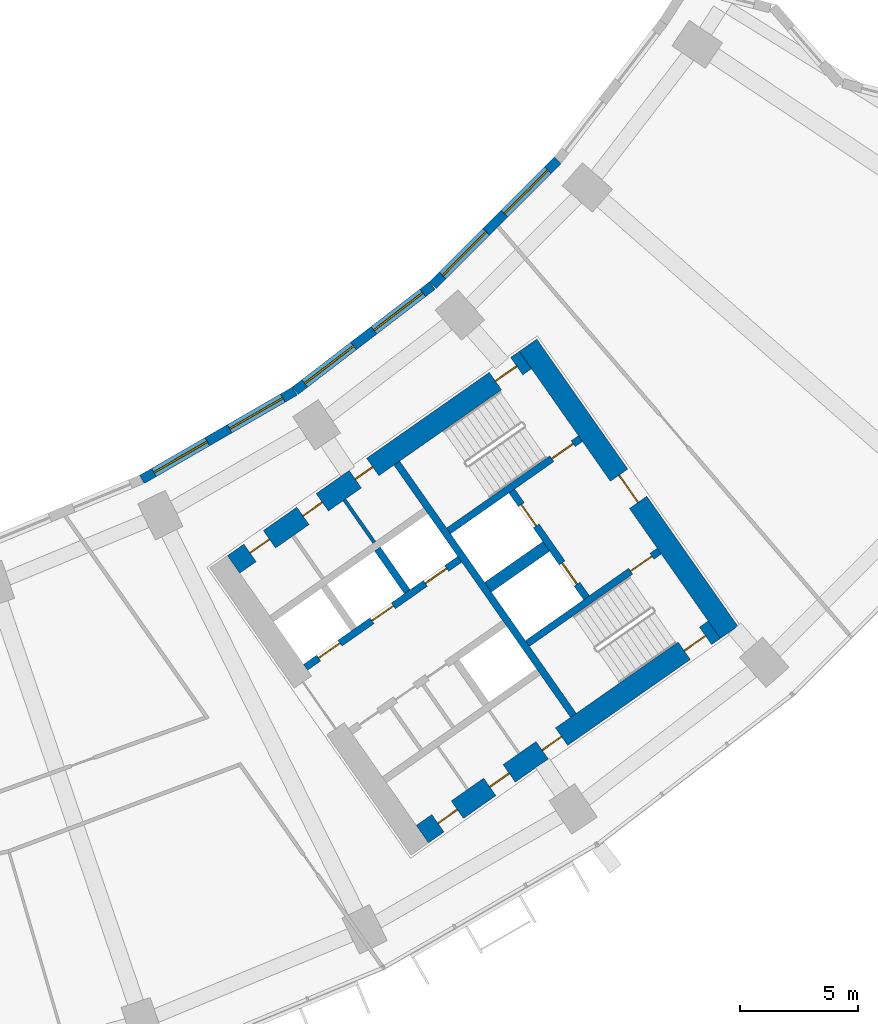
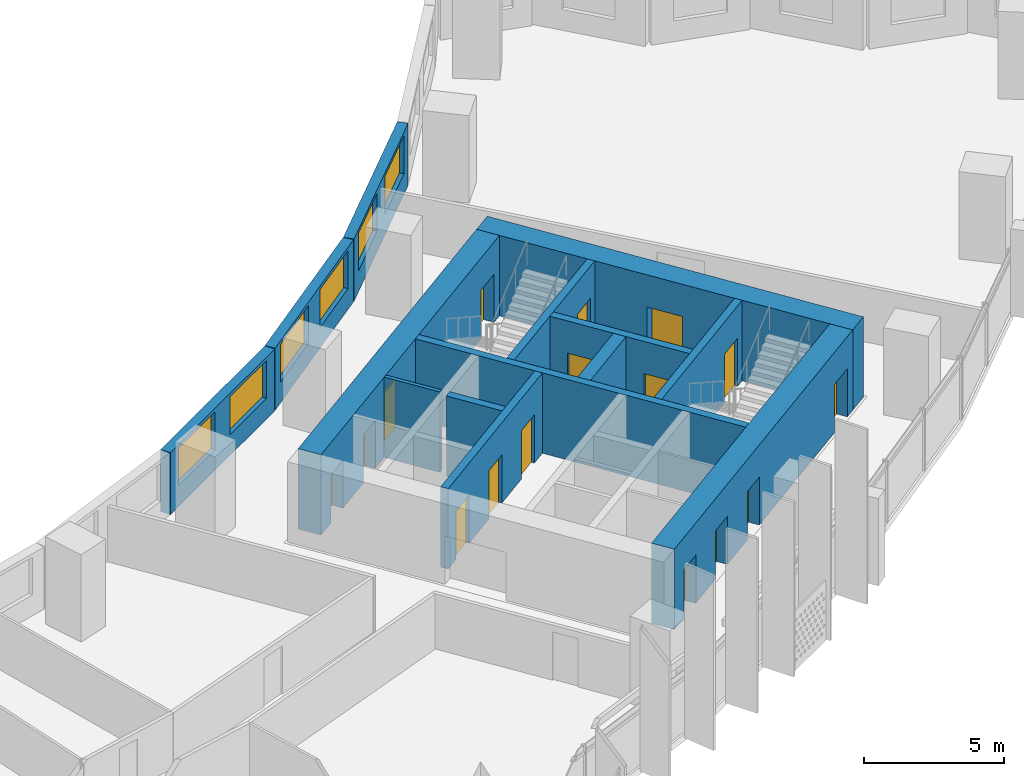
# One storey, part 7 of 32: 16 doors, 14 walls, 6 windows, 22 openings.
"""IFC4 building model written with IfcOpenShell, lengths in metres."""

from ifc_helpers import new_model, si_unit, direction, frame, frame_2d, origin, place, context, subcontext, project, spatial, rectangle, extrude, material, layer, layer_set, type_object, element, fill, save


model = new_model("IFC4")

# Units and contexts
model_context = context("Model", 3, precision=1e-05, world=origin(), true_north=direction((0.0, 1.0)))
body_context = subcontext(model_context, "Body", "Model", "MODEL_VIEW")
ifc_project = project(units=[si_unit("LENGTHUNIT", "METRE"), si_unit("AREAUNIT", "SQUARE_METRE"), si_unit("VOLUMEUNIT", "CUBIC_METRE"), si_unit("PLANEANGLEUNIT", "RADIAN"), si_unit("MASSUNIT", "GRAM", prefix="KILO")], contexts=[model_context])

# Site, building, storey
site_placement = place(None, origin())
site = spatial("IfcSite", under=ifc_project, at=site_placement, CompositionType="ELEMENT")
building_placement = place(site_placement, origin())
building = spatial("IfcBuilding", under=site, at=building_placement, Name="Qamariyya Broadcast Tower", CompositionType="ELEMENT")
storey_placement = place(building_placement, frame((0.0, 0.0, 63.300048828125)))
storey = spatial("IfcBuildingStorey", under=building, at=storey_placement, Name="L12", CompositionType="ELEMENT", Elevation=63.300048828125)

# Wall, opening, door
ifc_material_1 = material(Name="Concrete C70/85", Category="concrete")
ifc_layer_1 = layer(ifc_material_1, 0.89990234375)
ifc_layer_set_1 = layer_set([ifc_layer_1], Name="Core wall 900 mm Concrete C70/85")
wall_type_1 = type_object("IfcWallType", Name="Core wall 900 mm Concrete C70/85", PredefinedType="SHEAR", material=ifc_layer_set_1)
wall_1_placement = place(storey_placement, frame((49.778564453125, -57.191162109375, 0.0), z_axis=(0.0, 0.0, 1.0), x_axis=(-0.573577477574, 0.819151315216, 0.0)))
wall_1 = element("IfcWall", 1, at=wall_1_placement, inside=storey, type_object=wall_type_1, Name="k-E-L12-WH", PredefinedType="SHEAR", context=body_context, shape_type="SweptSolid", body=[
    extrude(rectangle(XDim=14.800048828125, YDim=0.89990234375, at=frame_2d((7.39990234375, 0.0))), origin(), (0.0, 0.0, 1.0), 3.5),
])
opening_1_placement = place(wall_1_placement, frame((6.699951171875, 0.0, 0.0)))
opening_1 = element("IfcOpeningElement", 2, at=opening_1_placement, cuts=wall_1, Name="Opening KD2-E1", PredefinedType="OPENING", context=body_context, shape_type="SweptSolid", body=[
    extrude(rectangle(XDim=1.39990234375, YDim=2.10009765625, at=frame_2d((0.699951171875, 1.050048828125))), frame((0.0, 0.4599609375, 0.0), z_axis=(0.0, -1.0, 0.0), x_axis=(1.0, 0.0, 0.0)), (0.0, 0.0, 1.0), 0.919921875),
])
ifc_material_2 = material(Name="Steel fire-resisting door leaf", Category="steel")
door_type_1 = type_object("IfcDoorType", Name="Fire-fighting lobby door KD2", OperationType="DOUBLE_DOOR_SINGLE_SWING", PredefinedType="DOOR", material=ifc_material_2)
door_1_placement = place(opening_1_placement, origin())
door_1 = element("IfcDoor", 3, at=door_1_placement, inside=storey, type_object=door_type_1, Name="k-E-L12-WH-D16", OperationType="DOUBLE_DOOR_SINGLE_SWING", OverallHeight=2.10009765625, OverallWidth=1.39990234375, PredefinedType="DOOR", context=body_context, shape_type="SweptSolid", body=[
    extrude(rectangle(XDim=1.39990234375, YDim=2.10009765625, at=frame_2d((0.699951171875, 1.050048828125))), frame((0.0, 0.02490234375, 0.0), z_axis=(0.0, -1.0, 0.0), x_axis=(1.0, 0.0, 0.0)), (0.0, 0.0, 1.0), 0.050048828125),
])
fill(opening_1, door_1)

# Wall, openings, doors
wall_2_placement = place(storey_placement, frame((28.8544921875, -54.32421875, 0.0), z_axis=(0.0, 0.0, 1.0), x_axis=(0.819145767589, 0.573585400304, 0.0)))
wall_2 = element("IfcWall", 4, at=wall_2_placement, inside=storey, type_object=wall_type_1, Name="k-E-L12-WI", PredefinedType="SHEAR", context=body_context, shape_type="SweptSolid", body=[
    extrude(rectangle(XDim=15.04541015625, YDim=0.89990234375, at=frame_2d((7.522705078125, 0.0))), origin(), (0.0, 0.0, 1.0), 3.5),
])
opening_2_placement = place(wall_2_placement, frame((0.85009765625, 0.0, 0.0)))
opening_2 = element("IfcOpeningElement", 5, at=opening_2_placement, cuts=wall_2, Name="Opening KD6-E3", PredefinedType="OPENING", context=body_context, shape_type="SweptSolid", body=[
    extrude(rectangle(XDim=1.0, YDim=2.10009765625, at=frame_2d((0.5, 1.050048828125))), frame((0.0, 0.4599609375, 0.0), z_axis=(0.0, -1.0, 0.0), x_axis=(1.0, 0.0, 0.0)), (0.0, 0.0, 1.0), 0.919921875),
])
opening_3_placement = place(wall_2_placement, frame((3.574951171875, 0.0, 0.0)))
opening_3 = element("IfcOpeningElement", 6, at=opening_3_placement, cuts=wall_2, Name="Opening KD7-E1", PredefinedType="OPENING", context=body_context, shape_type="SweptSolid", body=[
    extrude(rectangle(XDim=1.0, YDim=2.10009765625, at=frame_2d((0.5, 1.050048828125))), frame((0.0, 0.4599609375, 0.0), z_axis=(0.0, -1.0, 0.0), x_axis=(1.0, 0.0, 0.0)), (0.0, 0.0, 1.0), 0.919921875),
])
opening_4_placement = place(wall_2_placement, frame((6.27490234375, 0.0, 0.0)))
opening_4 = element("IfcOpeningElement", 7, at=opening_4_placement, cuts=wall_2, Name="Opening KD5-E1", PredefinedType="OPENING", context=body_context, shape_type="SweptSolid", body=[
    extrude(rectangle(XDim=0.89990234375, YDim=2.10009765625, at=frame_2d((0.449951171875, 1.050048828125))), frame((0.0, 0.4599609375, 0.0), z_axis=(0.0, -1.0, 0.0), x_axis=(1.0, 0.0, 0.0)), (0.0, 0.0, 1.0), 0.919921875),
])
opening_5_placement = place(wall_2_placement, frame((13.495361328125, 0.0, 0.0)))
opening_5 = element("IfcOpeningElement", 8, at=opening_5_placement, cuts=wall_2, Name="Opening KD1-E1", PredefinedType="OPENING", context=body_context, shape_type="SweptSolid", body=[
    extrude(rectangle(XDim=1.10009765625, YDim=2.10009765625, at=frame_2d((0.550048828125, 1.050048828125))), frame((0.0, 0.4599609375, 0.0), z_axis=(0.0, -1.0, 0.0), x_axis=(1.0, 0.0, 0.0)), (0.0, 0.0, 1.0), 0.919921875),
])
door_type_2 = type_object("IfcDoorType", Name="Accessible toilet door KD7", OperationType="SINGLE_SWING_LEFT", PredefinedType="DOOR", material=ifc_material_2)
door_2_placement = place(opening_3_placement, origin())
door_2 = element("IfcDoor", 9, at=door_2_placement, inside=storey, type_object=door_type_2, Name="k-E-L12-WI-D9", OperationType="SINGLE_SWING_LEFT", OverallHeight=2.10009765625, OverallWidth=1.0, PredefinedType="DOOR", context=body_context, shape_type="SweptSolid", body=[
    extrude(rectangle(XDim=1.0, YDim=2.10009765625, at=frame_2d((0.5, 1.050048828125))), frame((0.0, 0.02490234375, 0.0), z_axis=(0.0, -1.0, 0.0), x_axis=(1.0, 0.0, 0.0)), (0.0, 0.0, 1.0), 0.050048828125),
])
fill(opening_3, door_2)
door_type_3 = type_object("IfcDoorType", Name="Core room door KD6", OperationType="SINGLE_SWING_LEFT", PredefinedType="DOOR", material=ifc_material_2)
door_3_placement = place(opening_2_placement, origin())
door_3 = element("IfcDoor", 10, at=door_3_placement, inside=storey, type_object=door_type_3, Name="k-E-L12-WI-D8", OperationType="SINGLE_SWING_RIGHT", OverallHeight=2.10009765625, OverallWidth=1.0, PredefinedType="DOOR", context=body_context, shape_type="SweptSolid", body=[
    extrude(rectangle(XDim=1.0, YDim=2.10009765625, at=frame_2d((0.5, 1.050048828125))), frame((0.0, 0.02490234375, 0.0), z_axis=(0.0, -1.0, 0.0), x_axis=(1.0, 0.0, 0.0)), (0.0, 0.0, 1.0), 0.050048828125),
])
fill(opening_2, door_3)
door_type_4 = type_object("IfcDoorType", Name="Stair door KD1", OperationType="SINGLE_SWING_LEFT", PredefinedType="DOOR", material=ifc_material_2)
door_4_placement = place(opening_5_placement, origin())
door_4 = element("IfcDoor", 11, at=door_4_placement, inside=storey, type_object=door_type_4, Name="k-E-L12-WI-D17", OperationType="SINGLE_SWING_RIGHT", OverallHeight=2.10009765625, OverallWidth=1.10009765625, PredefinedType="DOOR", context=body_context, shape_type="SweptSolid", body=[
    extrude(rectangle(XDim=1.10009765625, YDim=2.10009765625, at=frame_2d((0.550048828125, 1.050048828125))), frame((0.0, 0.02490234375, 0.0), z_axis=(0.0, -1.0, 0.0), x_axis=(1.0, 0.0, 0.0)), (0.0, 0.0, 1.0), 0.050048828125),
])
fill(opening_5, door_4)
door_type_5 = type_object("IfcDoorType", Name="Toilet door KD5", OperationType="SINGLE_SWING_LEFT", PredefinedType="DOOR", material=ifc_material_2)
door_5_placement = place(opening_4_placement, origin())
door_5 = element("IfcDoor", 12, at=door_5_placement, inside=storey, type_object=door_type_5, Name="k-E-L12-WI-D10", OperationType="SINGLE_SWING_RIGHT", OverallHeight=2.10009765625, OverallWidth=0.89990234375, PredefinedType="DOOR", context=body_context, shape_type="SweptSolid", body=[
    extrude(rectangle(XDim=0.89990234375, YDim=2.10009765625, at=frame_2d((0.449951171875, 1.050048828125))), frame((0.0, 0.02490234375, 0.0), z_axis=(0.0, -1.0, 0.0), x_axis=(1.0, 0.0, 0.0)), (0.0, 0.0, 1.0), 0.050048828125),
])
fill(opening_4, door_5)

wall_3_placement = place(storey_placement, frame((36.827392578125, -65.710205078125, 0.0), z_axis=(0.0, 0.0, 1.0), x_axis=(0.819153391756, 0.573574511963, 0.0)))
wall_3 = element("IfcWall", 13, at=wall_3_placement, inside=storey, type_object=wall_type_1, Name="k-E-L12-WO", PredefinedType="SHEAR", context=body_context, shape_type="SweptSolid", body=[
    extrude(rectangle(XDim=15.04541015625, YDim=0.89990234375, at=frame_2d((7.522705078125, 0.0))), origin(), (0.0, 0.0, 1.0), 3.5),
])
opening_6_placement = place(wall_3_placement, frame((0.800048828125, 0.0, 0.0)))
opening_6 = element("IfcOpeningElement", 14, at=opening_6_placement, cuts=wall_3, Name="Opening KD4-E2", PredefinedType="OPENING", context=body_context, shape_type="SweptSolid", body=[
    extrude(rectangle(XDim=1.0, YDim=2.10009765625, at=frame_2d((0.5, 1.050048828125))), frame((0.0, 0.4599609375, 0.0), z_axis=(0.0, -1.0, 0.0), x_axis=(1.0, 0.0, 0.0)), (0.0, 0.0, 1.0), 0.919921875),
])
opening_7_placement = place(wall_3_placement, frame((3.47509765625, 0.0, 0.0)))
opening_7 = element("IfcOpeningElement", 15, at=opening_7_placement, cuts=wall_3, Name="Opening KD4-E3", PredefinedType="OPENING", context=body_context, shape_type="SweptSolid", body=[
    extrude(rectangle(XDim=1.0, YDim=2.10009765625, at=frame_2d((0.5, 1.050048828125))), frame((0.0, 0.4599609375, 0.0), z_axis=(0.0, -1.0, 0.0), x_axis=(1.0, 0.0, 0.0)), (0.0, 0.0, 1.0), 0.919921875),
])
opening_8_placement = place(wall_3_placement, frame((6.175048828125, 0.0, 0.0)))
opening_8 = element("IfcOpeningElement", 16, at=opening_8_placement, cuts=wall_3, Name="Opening KD4-E4", PredefinedType="OPENING", context=body_context, shape_type="SweptSolid", body=[
    extrude(rectangle(XDim=1.0, YDim=2.10009765625, at=frame_2d((0.5, 1.050048828125))), frame((0.0, 0.4599609375, 0.0), z_axis=(0.0, -1.0, 0.0), x_axis=(1.0, 0.0, 0.0)), (0.0, 0.0, 1.0), 0.919921875),
])
opening_9_placement = place(wall_3_placement, frame((13.495361328125, 0.0, 0.0)))
opening_9 = element("IfcOpeningElement", 17, at=opening_9_placement, cuts=wall_3, Name="Opening KD1-E3", PredefinedType="OPENING", context=body_context, shape_type="SweptSolid", body=[
    extrude(rectangle(XDim=1.10009765625, YDim=2.10009765625, at=frame_2d((0.550048828125, 1.050048828125))), frame((0.0, 0.4599609375, 0.0), z_axis=(0.0, -1.0, 0.0), x_axis=(1.0, 0.0, 0.0)), (0.0, 0.0, 1.0), 0.919921875),
])
door_type_6 = type_object("IfcDoorType", Name="Riser and plant door KD4", OperationType="SINGLE_SWING_LEFT", PredefinedType="DOOR", material=ifc_material_2)
door_6_placement = place(opening_6_placement, origin())
door_6 = element("IfcDoor", 18, at=door_6_placement, inside=storey, type_object=door_type_6, Name="k-E-L12-WO-D11", OperationType="SINGLE_SWING_LEFT", OverallHeight=2.10009765625, OverallWidth=1.0, PredefinedType="DOOR", context=body_context, shape_type="SweptSolid", body=[
    extrude(rectangle(XDim=1.0, YDim=2.10009765625, at=frame_2d((0.5, 1.050048828125))), frame((0.0, 0.02490234375, 0.0), z_axis=(0.0, -1.0, 0.0), x_axis=(1.0, 0.0, 0.0)), (0.0, 0.0, 1.0), 0.050048828125),
])
fill(opening_6, door_6)
door_7_placement = place(opening_7_placement, origin())
door_7 = element("IfcDoor", 19, at=door_7_placement, inside=storey, type_object=door_type_6, Name="k-E-L12-WO-D12", OperationType="SINGLE_SWING_RIGHT", OverallHeight=2.10009765625, OverallWidth=1.0, PredefinedType="DOOR", context=body_context, shape_type="SweptSolid", body=[
    extrude(rectangle(XDim=1.0, YDim=2.10009765625, at=frame_2d((0.5, 1.050048828125))), frame((0.0, 0.02490234375, 0.0), z_axis=(0.0, -1.0, 0.0), x_axis=(1.0, 0.0, 0.0)), (0.0, 0.0, 1.0), 0.050048828125),
])
fill(opening_7, door_7)
door_8_placement = place(opening_8_placement, origin())
door_8 = element("IfcDoor", 20, at=door_8_placement, inside=storey, type_object=door_type_6, Name="k-E-L12-WO-D13", OperationType="SINGLE_SWING_LEFT", OverallHeight=2.10009765625, OverallWidth=1.0, PredefinedType="DOOR", context=body_context, shape_type="SweptSolid", body=[
    extrude(rectangle(XDim=1.0, YDim=2.10009765625, at=frame_2d((0.5, 1.050048828125))), frame((0.0, 0.02490234375, 0.0), z_axis=(0.0, -1.0, 0.0), x_axis=(1.0, 0.0, 0.0)), (0.0, 0.0, 1.0), 0.050048828125),
])
fill(opening_8, door_8)
door_9_placement = place(opening_9_placement, origin())
door_9 = element("IfcDoor", 21, at=door_9_placement, inside=storey, type_object=door_type_4, Name="k-E-L12-WO-D19", OperationType="SINGLE_SWING_LEFT", OverallHeight=2.10009765625, OverallWidth=1.10009765625, PredefinedType="DOOR", context=body_context, shape_type="SweptSolid", body=[
    extrude(rectangle(XDim=1.10009765625, YDim=2.10009765625, at=frame_2d((0.550048828125, 1.050048828125))), frame((0.0, 0.02490234375, 0.0), z_axis=(0.0, -1.0, 0.0), x_axis=(1.0, 0.0, 0.0)), (0.0, 0.0, 1.0), 0.050048828125),
])
fill(opening_9, door_9)

# Walls
ifc_material_3 = material(Name="Concrete C60/75", Category="concrete")
ifc_layer_2 = layer(ifc_material_3, 0.5)
ifc_layer_set_2 = layer_set([ifc_layer_2], Name="Fire-fighting lobby divider wall 500 mm Concrete C60/75")
wall_type_2 = type_object("IfcWallType", Name="Fire-fighting lobby divider wall 500 mm Concrete C60/75", PredefinedType="SOLIDWALL", material=ifc_layer_set_2)
wall_4_placement = place(storey_placement, frame((39.59912109375, -55.28515625, 0.0), z_axis=(0.0, 0.0, 1.0), x_axis=(0.819136323161, 0.573598887793, 0.0)))
element("IfcWall", 22, at=wall_4_placement, inside=storey, type_object=wall_type_2, Name="k-E-L12-FD", PredefinedType="SOLIDWALL", context=body_context, shape_type="SweptSolid", body=[
    extrude(rectangle(XDim=2.999755859375, YDim=0.5, at=frame_2d((1.5, 0.0))), origin(), (0.0, 0.0, 1.0), 3.5),
])
ifc_material_4 = material(Name="Gypsum board partition on steel studs", Category="steel")
ifc_layer_3 = layer(ifc_material_4, 0.14990234375)
ifc_layer_set_3 = layer_set([ifc_layer_3], Name="Gypsum board partition 150 mm")
wall_type_3 = type_object("IfcWallType", Name="Gypsum board partition 150 mm", PredefinedType="PARTITIONING", material=ifc_layer_set_3)
wall_5_placement = place(storey_placement, frame((34.798095703125, -53.3974609375, 0.0), z_axis=(0.0, 0.0, 1.0), x_axis=(-0.573633636671, 0.819111989218, 0.0)))
element("IfcWall", 23, at=wall_5_placement, inside=storey, type_object=wall_type_3, Name="k-E-L12-NP540", PredefinedType="PARTITIONING", context=body_context, shape_type="SweptSolid", body=[
    extrude(rectangle(XDim=2.199951171875, YDim=0.14990234375, at=frame_2d((1.10009765625, 0.0))), origin(), (0.0, 0.0, 1.0), 3.5),
])
ifc_layer_4 = layer(ifc_material_3, 0.300048828125)
ifc_layer_set_4 = layer_set([ifc_layer_4], Name="Lift shaft wall 300 mm Concrete C60/75")
wall_type_4 = type_object("IfcWallType", Name="Lift shaft wall 300 mm Concrete C60/75", PredefinedType="SOLIDWALL", material=ifc_layer_set_4)
wall_6_placement = place(storey_placement, frame((43.204345703125, -60.69580078125, 0.0), z_axis=(0.0, 0.0, 1.0), x_axis=(-0.573571992966, 0.819155155563, 0.0)))
element("IfcWall", 24, at=wall_6_placement, inside=storey, type_object=wall_type_4, Name="k-E-L12-WL", PredefinedType="SOLIDWALL", context=body_context, shape_type="SweptSolid", body=[
    extrude(rectangle(XDim=13.000244140625, YDim=0.300048828125, at=frame_2d((6.5, 0.0))), origin(), (0.0, 0.0, 1.0), 3.5),
])

# Wall, openings, doors
wall_7_placement = place(storey_placement, frame((31.89453125, -58.66552734375, 0.0), z_axis=(0.0, 0.0, 1.0), x_axis=(0.819166993208, 0.573555086491, 0.0)))
wall_7 = element("IfcWall", 25, at=wall_7_placement, inside=storey, type_object=wall_type_4, Name="k-E-L12-NF0", PredefinedType="SOLIDWALL", context=body_context, shape_type="SweptSolid", body=[
    extrude(rectangle(XDim=7.9501953125, YDim=0.300048828125, at=frame_2d((3.97509765625, 0.0))), origin(), (0.0, 0.0, 1.0), 3.5),
])
opening_10_placement = place(wall_7_placement, frame((0.675048828125, 0.0, 0.0)))
opening_10 = element("IfcOpeningElement", 26, at=opening_10_placement, cuts=wall_7, Name="Opening LD", PredefinedType="OPENING", context=body_context, shape_type="SweptSolid", body=[
    extrude(rectangle(XDim=1.10009765625, YDim=2.10009765625, at=frame_2d((0.550048828125, 1.050048828125))), frame((0.0, 0.159912109375, 0.0), z_axis=(0.0, -1.0, 0.0), x_axis=(1.0, 0.0, 0.0)), (0.0, 0.0, 1.0), 0.320068359375),
])
opening_11_placement = place(wall_7_placement, frame((3.425048828125, 0.0, 0.0)))
opening_11 = element("IfcOpeningElement", 27, at=opening_11_placement, cuts=wall_7, Name="Opening LD", PredefinedType="OPENING", context=body_context, shape_type="SweptSolid", body=[
    extrude(rectangle(XDim=1.10009765625, YDim=2.10009765625, at=frame_2d((0.550048828125, 1.050048828125))), frame((0.0, 0.159912109375, 0.0), z_axis=(0.0, -1.0, 0.0), x_axis=(1.0, 0.0, 0.0)), (0.0, 0.0, 1.0), 0.320068359375),
])
opening_12_placement = place(wall_7_placement, frame((6.175048828125, 0.0, 0.0)))
opening_12 = element("IfcOpeningElement", 28, at=opening_12_placement, cuts=wall_7, Name="Opening LD", PredefinedType="OPENING", context=body_context, shape_type="SweptSolid", body=[
    extrude(rectangle(XDim=1.10009765625, YDim=2.10009765625, at=frame_2d((0.550048828125, 1.050048828125))), frame((0.0, 0.159912109375, 0.0), z_axis=(0.0, -1.0, 0.0), x_axis=(1.0, 0.0, 0.0)), (0.0, 0.0, 1.0), 0.320068359375),
])
door_type_7 = type_object("IfcDoorType", Name="Lift landing door LD", OperationType="DOUBLE_DOOR_SLIDING", PredefinedType="DOOR", material=ifc_material_2)
door_10_placement = place(opening_10_placement, origin())
door_10 = element("IfcDoor", 29, at=door_10_placement, inside=storey, type_object=door_type_7, Name="k-E-L12-NF0-D2", OperationType="DOUBLE_DOOR_SLIDING", OverallHeight=2.10009765625, OverallWidth=1.10009765625, PredefinedType="DOOR", context=body_context, shape_type="SweptSolid", body=[
    extrude(rectangle(XDim=1.10009765625, YDim=2.10009765625, at=frame_2d((0.550048828125, 1.050048828125))), frame((0.0, 0.02490234375, 0.0), z_axis=(0.0, -1.0, 0.0), x_axis=(1.0, 0.0, 0.0)), (0.0, 0.0, 1.0), 0.050048828125),
])
fill(opening_10, door_10)
door_11_placement = place(opening_11_placement, origin())
door_11 = element("IfcDoor", 30, at=door_11_placement, inside=storey, type_object=door_type_7, Name="k-E-L12-NF0-D3", OperationType="DOUBLE_DOOR_SLIDING", OverallHeight=2.10009765625, OverallWidth=1.10009765625, PredefinedType="DOOR", context=body_context, shape_type="SweptSolid", body=[
    extrude(rectangle(XDim=1.10009765625, YDim=2.10009765625, at=frame_2d((0.550048828125, 1.050048828125))), frame((0.0, 0.02490234375, 0.0), z_axis=(0.0, -1.0, 0.0), x_axis=(1.0, 0.0, 0.0)), (0.0, 0.0, 1.0), 0.050048828125),
])
fill(opening_11, door_11)
door_12_placement = place(opening_12_placement, origin())
door_12 = element("IfcDoor", 31, at=door_12_placement, inside=storey, type_object=door_type_7, Name="k-E-L12-NF0-D4", OperationType="DOUBLE_DOOR_SLIDING", OverallHeight=2.10009765625, OverallWidth=1.10009765625, PredefinedType="DOOR", context=body_context, shape_type="SweptSolid", body=[
    extrude(rectangle(XDim=1.10009765625, YDim=2.10009765625, at=frame_2d((0.550048828125, 1.050048828125))), frame((0.0, 0.02490234375, 0.0), z_axis=(0.0, -1.0, 0.0), x_axis=(1.0, 0.0, 0.0)), (0.0, 0.0, 1.0), 0.050048828125),
])
fill(opening_12, door_12)

# Wall
wall_8_placement = place(storey_placement, frame((36.19091796875, -55.47412109375, 0.0), z_axis=(0.0, 0.0, 1.0), x_axis=(-0.573507030513, 0.819200638399, 0.0)))
element("IfcWall", 32, at=wall_8_placement, inside=storey, type_object=wall_type_4, Name="k-E-L12-ND1", PredefinedType="SOLIDWALL", context=body_context, shape_type="SweptSolid", body=[
    extrude(rectangle(XDim=2.199951171875, YDim=0.300048828125, at=frame_2d((1.10009765625, 0.0))), origin(), (0.0, 0.0, 1.0), 3.5),
])

# Wall, opening, door
wall_9_placement = place(storey_placement, frame((37.935546875, -52.90966796875, 0.0), z_axis=(0.0, 0.0, 1.0), x_axis=(0.819147518138, 0.57358290031, 0.0)))
wall_9 = element("IfcWall", 33, at=wall_9_placement, inside=storey, type_object=wall_type_4, Name="k-E-L12-NW", PredefinedType="SOLIDWALL", context=body_context, shape_type="SweptSolid", body=[
    extrude(rectangle(XDim=6.79541015625, YDim=0.300048828125, at=frame_2d((3.397705078125, 0.0))), origin(), (0.0, 0.0, 1.0), 3.5),
])
opening_13_placement = place(wall_9_placement, frame((5.3203125, 0.0, 0.0)))
opening_13 = element("IfcOpeningElement", 34, at=opening_13_placement, cuts=wall_9, Name="Opening KD1-E2", PredefinedType="OPENING", context=body_context, shape_type="SweptSolid", body=[
    extrude(rectangle(XDim=1.10009765625, YDim=2.10009765625, at=frame_2d((0.550048828125, 1.050048828125))), frame((0.0, 0.159912109375, 0.0), z_axis=(0.0, -1.0, 0.0), x_axis=(1.0, 0.0, 0.0)), (0.0, 0.0, 1.0), 0.320068359375),
])
door_13_placement = place(opening_13_placement, origin())
door_13 = element("IfcDoor", 35, at=door_13_placement, inside=storey, type_object=door_type_4, Name="k-E-L12-NW-D18", OperationType="SINGLE_SWING_RIGHT", OverallHeight=2.10009765625, OverallWidth=1.10009765625, PredefinedType="DOOR", context=body_context, shape_type="SweptSolid", body=[
    extrude(rectangle(XDim=1.10009765625, YDim=2.10009765625, at=frame_2d((0.550048828125, 1.050048828125))), frame((0.0, 0.02490234375, 0.0), z_axis=(0.0, -1.0, 0.0), x_axis=(1.0, 0.0, 0.0)), (0.0, 0.0, 1.0), 0.050048828125),
])
fill(opening_13, door_13)

wall_10_placement = place(storey_placement, frame((41.262451171875, -57.66064453125, 0.0), z_axis=(0.0, 0.0, 1.0), x_axis=(0.819164398642, 0.573558792102, 0.0)))
wall_10 = element("IfcWall", 36, at=wall_10_placement, inside=storey, type_object=wall_type_4, Name="k-E-L12-SW", PredefinedType="SOLIDWALL", context=body_context, shape_type="SweptSolid", body=[
    extrude(rectangle(XDim=6.795166015625, YDim=0.300048828125, at=frame_2d((3.3974609375, 0.0))), origin(), (0.0, 0.0, 1.0), 3.5),
])
opening_14_placement = place(wall_10_placement, frame((5.3203125, 0.0, 0.0)))
opening_14 = element("IfcOpeningElement", 37, at=opening_14_placement, cuts=wall_10, Name="Opening KD1-E4", PredefinedType="OPENING", context=body_context, shape_type="SweptSolid", body=[
    extrude(rectangle(XDim=1.10009765625, YDim=2.10009765625, at=frame_2d((0.550048828125, 1.050048828125))), frame((0.0, 0.159912109375, 0.0), z_axis=(0.0, -1.0, 0.0), x_axis=(1.0, 0.0, 0.0)), (0.0, 0.0, 1.0), 0.320068359375),
])
door_14_placement = place(opening_14_placement, origin())
door_14 = element("IfcDoor", 38, at=door_14_placement, inside=storey, type_object=door_type_4, Name="k-E-L12-SW-D20", OperationType="SINGLE_SWING_RIGHT", OverallHeight=2.10009765625, OverallWidth=1.10009765625, PredefinedType="DOOR", context=body_context, shape_type="SweptSolid", body=[
    extrude(rectangle(XDim=1.10009765625, YDim=2.10009765625, at=frame_2d((0.550048828125, 1.050048828125))), frame((0.0, 0.02490234375, 0.0), z_axis=(0.0, -1.0, 0.0), x_axis=(1.0, 0.0, 0.0)), (0.0, 0.0, 1.0), 0.050048828125),
])
fill(opening_14, door_14)

# Wall, openings, doors
wall_11_placement = place(storey_placement, frame((43.756591796875, -55.731201171875, 0.0), z_axis=(0.0, 0.0, 1.0), x_axis=(-0.573536818435, 0.819179783625, 0.0)))
wall_11 = element("IfcWall", 39, at=wall_11_placement, inside=storey, type_object=wall_type_4, Name="k-E-L12-FF", PredefinedType="SOLIDWALL", context=body_context, shape_type="SweptSolid", body=[
    extrude(rectangle(XDim=5.500244140625, YDim=0.300048828125, at=frame_2d((2.75, 0.0))), origin(), (0.0, 0.0, 1.0), 3.5),
])
opening_15_placement = place(wall_11_placement, frame((0.699951171875, 0.0, 0.0)))
opening_15 = element("IfcOpeningElement", 40, at=opening_15_placement, cuts=wall_11, Name="Opening LD", PredefinedType="OPENING", context=body_context, shape_type="SweptSolid", body=[
    extrude(rectangle(XDim=1.10009765625, YDim=2.10009765625, at=frame_2d((0.550048828125, 1.050048828125))), frame((0.0, 0.159912109375, 0.0), z_axis=(0.0, -1.0, 0.0), x_axis=(1.0, 0.0, 0.0)), (0.0, 0.0, 1.0), 0.320068359375),
])
opening_16_placement = place(wall_11_placement, frame((3.699951171875, 0.0, 0.0)))
opening_16 = element("IfcOpeningElement", 41, at=opening_16_placement, cuts=wall_11, Name="Opening LD", PredefinedType="OPENING", context=body_context, shape_type="SweptSolid", body=[
    extrude(rectangle(XDim=1.10009765625, YDim=2.10009765625, at=frame_2d((0.550048828125, 1.050048828125))), frame((0.0, 0.159912109375, 0.0), z_axis=(0.0, -1.0, 0.0), x_axis=(1.0, 0.0, 0.0)), (0.0, 0.0, 1.0), 0.320068359375),
])
door_15_placement = place(opening_15_placement, origin())
door_15 = element("IfcDoor", 42, at=door_15_placement, inside=storey, type_object=door_type_7, Name="k-E-L12-FF-D14", OperationType="DOUBLE_DOOR_SLIDING", OverallHeight=2.10009765625, OverallWidth=1.10009765625, PredefinedType="DOOR", context=body_context, shape_type="SweptSolid", body=[
    extrude(rectangle(XDim=1.10009765625, YDim=2.10009765625, at=frame_2d((0.550048828125, 1.050048828125))), frame((0.0, 0.02490234375, 0.0), z_axis=(0.0, -1.0, 0.0), x_axis=(1.0, 0.0, 0.0)), (0.0, 0.0, 1.0), 0.050048828125),
])
fill(opening_15, door_15)
door_16_placement = place(opening_16_placement, origin())
door_16 = element("IfcDoor", 43, at=door_16_placement, inside=storey, type_object=door_type_7, Name="k-E-L12-FF-D15", OperationType="DOUBLE_DOOR_SLIDING", OverallHeight=2.10009765625, OverallWidth=1.10009765625, PredefinedType="DOOR", context=body_context, shape_type="SweptSolid", body=[
    extrude(rectangle(XDim=1.10009765625, YDim=2.10009765625, at=frame_2d((0.550048828125, 1.050048828125))), frame((0.0, 0.02490234375, 0.0), z_axis=(0.0, -1.0, 0.0), x_axis=(1.0, 0.0, 0.0)), (0.0, 0.0, 1.0), 0.050048828125),
])
fill(opening_16, door_16)

# Wall, openings, windows
ifc_material_5 = material(Name="Terracotta", Category="masonry")
ifc_layer_5 = layer(ifc_material_5, 0.39990234375)
ifc_layer_set_5 = layer_set([ifc_layer_5], Name="Terracotta clad wall 400")
wall_type_5 = type_object("IfcWallType", Name="Terracotta clad wall 400", PredefinedType="SOLIDWALL", material=ifc_layer_set_5)
wall_12_placement = place(storey_placement, frame((31.439453125, -47.007568359375, 0.0), z_axis=(0.0, 0.0, 1.0), x_axis=(-0.866037641005, -0.499978803913, 0.0)))
wall_12 = element("IfcWall", 44, at=wall_12_placement, inside=storey, type_object=wall_type_5, Name="e-wl-L12-in120", PredefinedType="SOLIDWALL", context=body_context, shape_type="SweptSolid", body=[
    extrude(rectangle(XDim=7.447021484375, YDim=0.39990234375, at=frame_2d((3.7236328125, 0.0))), origin(), (0.0, 0.0, 1.0), 2.699951171875),
])
opening_17_placement = place(wall_12_placement, frame((4.266357421875, 0.0, 0.89990234375)))
opening_17 = element("IfcOpeningElement", 45, at=opening_17_placement, cuts=wall_12, Name="Opening W1", PredefinedType="OPENING", context=body_context, shape_type="SweptSolid", body=[
    extrude(rectangle(XDim=2.60009765625, YDim=1.64990234375, at=frame_2d((1.300048828125, 0.824951171875))), frame((0.0, 0.2099609375, 0.0), z_axis=(0.0, -1.0, 0.0), x_axis=(1.0, 0.0, 0.0)), (0.0, 0.0, 1.0), 0.419921875),
])
opening_18_placement = place(wall_12_placement, frame((0.580810546875, 0.0, 0.89990234375)))
opening_18 = element("IfcOpeningElement", 46, at=opening_18_placement, cuts=wall_12, Name="Opening W1", PredefinedType="OPENING", context=body_context, shape_type="SweptSolid", body=[
    extrude(rectangle(XDim=2.60009765625, YDim=1.64990234375, at=frame_2d((1.300048828125, 0.824951171875))), frame((0.0, 0.2099609375, 0.0), z_axis=(0.0, -1.0, 0.0), x_axis=(1.0, 0.0, 0.0)), (0.0, 0.0, 1.0), 0.419921875),
])
ifc_material_6 = material(Name="Clear low-e double glazed unit in aluminium frame", Category="aluminium")
window_type = type_object("IfcWindowType", Name="Ribbon window 2600 x 1650", PartitioningType="SINGLE_PANEL", PredefinedType="WINDOW", material=ifc_material_6)
window_1_placement = place(opening_17_placement, origin())
window_1 = element("IfcWindow", 47, at=window_1_placement, inside=storey, type_object=window_type, Name="e-w-L12-in12-0", OverallHeight=1.64990234375, OverallWidth=2.60009765625, PartitioningType="SINGLE_PANEL", PredefinedType="WINDOW", context=body_context, shape_type="SweptSolid", body=[
    extrude(rectangle(XDim=2.60009765625, YDim=1.64990234375, at=frame_2d((1.300048828125, 0.824951171875))), frame((0.0, 0.030029296875, 0.0), z_axis=(0.0, -1.0, 0.0), x_axis=(1.0, 0.0, 0.0)), (0.0, 0.0, 1.0), 0.06005859375),
])
fill(opening_17, window_1)
window_2_placement = place(opening_18_placement, origin())
window_2 = element("IfcWindow", 48, at=window_2_placement, inside=storey, type_object=window_type, Name="e-w-L12-in12-1", OverallHeight=1.64990234375, OverallWidth=2.60009765625, PartitioningType="SINGLE_PANEL", PredefinedType="WINDOW", context=body_context, shape_type="SweptSolid", body=[
    extrude(rectangle(XDim=2.60009765625, YDim=1.64990234375, at=frame_2d((1.300048828125, 0.824951171875))), frame((0.0, 0.030029296875, 0.0), z_axis=(0.0, -1.0, 0.0), x_axis=(1.0, 0.0, 0.0)), (0.0, 0.0, 1.0), 0.06005859375),
])
fill(opening_18, window_2)

wall_13_placement = place(storey_placement, frame((37.24609375, -42.5478515625, 0.0), z_axis=(0.0, 0.0, 1.0), x_axis=(-0.79336607943, -0.60874482668, 0.0)))
wall_13 = element("IfcWall", 49, at=wall_13_placement, inside=storey, type_object=wall_type_5, Name="e-wl-L12-in130", PredefinedType="SOLIDWALL", context=body_context, shape_type="SweptSolid", body=[
    extrude(rectangle(XDim=7.295654296875, YDim=0.39990234375, at=frame_2d((3.64794921875, 0.0))), origin(), (0.0, 0.0, 1.0), 2.699951171875),
])
opening_19_placement = place(wall_13_placement, frame((4.190673828125, 0.0, 0.89990234375)))
opening_19 = element("IfcOpeningElement", 50, at=opening_19_placement, cuts=wall_13, Name="Opening W1", PredefinedType="OPENING", context=body_context, shape_type="SweptSolid", body=[
    extrude(rectangle(XDim=2.60009765625, YDim=1.64990234375, at=frame_2d((1.300048828125, 0.824951171875))), frame((0.0, 0.2099609375, 0.0), z_axis=(0.0, -1.0, 0.0), x_axis=(1.0, 0.0, 0.0)), (0.0, 0.0, 1.0), 0.419921875),
])
opening_20_placement = place(wall_13_placement, frame((0.505126953125, 0.0, 0.89990234375)))
opening_20 = element("IfcOpeningElement", 51, at=opening_20_placement, cuts=wall_13, Name="Opening W1", PredefinedType="OPENING", context=body_context, shape_type="SweptSolid", body=[
    extrude(rectangle(XDim=2.60009765625, YDim=1.64990234375, at=frame_2d((1.300048828125, 0.824951171875))), frame((0.0, 0.2099609375, 0.0), z_axis=(0.0, -1.0, 0.0), x_axis=(1.0, 0.0, 0.0)), (0.0, 0.0, 1.0), 0.419921875),
])
window_3_placement = place(opening_19_placement, origin())
window_3 = element("IfcWindow", 52, at=window_3_placement, inside=storey, type_object=window_type, Name="e-w-L12-in13-0", OverallHeight=1.64990234375, OverallWidth=2.60009765625, PartitioningType="SINGLE_PANEL", PredefinedType="WINDOW", context=body_context, shape_type="SweptSolid", body=[
    extrude(rectangle(XDim=2.60009765625, YDim=1.64990234375, at=frame_2d((1.300048828125, 0.824951171875))), frame((0.0, 0.030029296875, 0.0), z_axis=(0.0, -1.0, 0.0), x_axis=(1.0, 0.0, 0.0)), (0.0, 0.0, 1.0), 0.06005859375),
])
fill(opening_19, window_3)
window_4_placement = place(opening_20_placement, origin())
window_4 = element("IfcWindow", 53, at=window_4_placement, inside=storey, type_object=window_type, Name="e-w-L12-in13-1", OverallHeight=1.64990234375, OverallWidth=2.60009765625, PartitioningType="SINGLE_PANEL", PredefinedType="WINDOW", context=body_context, shape_type="SweptSolid", body=[
    extrude(rectangle(XDim=2.60009765625, YDim=1.64990234375, at=frame_2d((1.300048828125, 0.824951171875))), frame((0.0, 0.030029296875, 0.0), z_axis=(0.0, -1.0, 0.0), x_axis=(1.0, 0.0, 0.0)), (0.0, 0.0, 1.0), 0.06005859375),
])
fill(opening_20, window_4)

wall_14_placement = place(storey_placement, frame((42.534423828125, -37.2685546875, 0.0), z_axis=(0.0, 0.0, 1.0), x_axis=(-0.707106781187, -0.707106781187, 0.0)))
wall_14 = element("IfcWall", 54, at=wall_14_placement, inside=storey, type_object=wall_type_5, Name="e-wl-L12-in140", PredefinedType="SOLIDWALL", context=body_context, shape_type="SweptSolid", body=[
    extrude(rectangle(XDim=7.447021484375, YDim=0.39990234375, at=frame_2d((3.7236328125, 0.0))), origin(), (0.0, 0.0, 1.0), 2.699951171875),
])
opening_21_placement = place(wall_14_placement, frame((4.266357421875, 0.0, 0.89990234375)))
opening_21 = element("IfcOpeningElement", 55, at=opening_21_placement, cuts=wall_14, Name="Opening W1", PredefinedType="OPENING", context=body_context, shape_type="SweptSolid", body=[
    extrude(rectangle(XDim=2.60009765625, YDim=1.64990234375, at=frame_2d((1.300048828125, 0.824951171875))), frame((0.0, 0.2099609375, 0.0), z_axis=(0.0, -1.0, 0.0), x_axis=(1.0, 0.0, 0.0)), (0.0, 0.0, 1.0), 0.419921875),
])
opening_22_placement = place(wall_14_placement, frame((0.580810546875, 0.0, 0.89990234375)))
opening_22 = element("IfcOpeningElement", 56, at=opening_22_placement, cuts=wall_14, Name="Opening W1", PredefinedType="OPENING", context=body_context, shape_type="SweptSolid", body=[
    extrude(rectangle(XDim=2.60009765625, YDim=1.64990234375, at=frame_2d((1.300048828125, 0.824951171875))), frame((0.0, 0.2099609375, 0.0), z_axis=(0.0, -1.0, 0.0), x_axis=(1.0, 0.0, 0.0)), (0.0, 0.0, 1.0), 0.419921875),
])
window_5_placement = place(opening_21_placement, origin())
window_5 = element("IfcWindow", 57, at=window_5_placement, inside=storey, type_object=window_type, Name="e-w-L12-in14-0", OverallHeight=1.64990234375, OverallWidth=2.60009765625, PartitioningType="SINGLE_PANEL", PredefinedType="WINDOW", context=body_context, shape_type="SweptSolid", body=[
    extrude(rectangle(XDim=2.60009765625, YDim=1.64990234375, at=frame_2d((1.300048828125, 0.824951171875))), frame((0.0, 0.030029296875, 0.0), z_axis=(0.0, -1.0, 0.0), x_axis=(1.0, 0.0, 0.0)), (0.0, 0.0, 1.0), 0.06005859375),
])
fill(opening_21, window_5)
window_6_placement = place(opening_22_placement, origin())
window_6 = element("IfcWindow", 58, at=window_6_placement, inside=storey, type_object=window_type, Name="e-w-L12-in14-1", OverallHeight=1.64990234375, OverallWidth=2.60009765625, PartitioningType="SINGLE_PANEL", PredefinedType="WINDOW", context=body_context, shape_type="SweptSolid", body=[
    extrude(rectangle(XDim=2.60009765625, YDim=1.64990234375, at=frame_2d((1.300048828125, 0.824951171875))), frame((0.0, 0.030029296875, 0.0), z_axis=(0.0, -1.0, 0.0), x_axis=(1.0, 0.0, 0.0)), (0.0, 0.0, 1.0), 0.06005859375),
])
fill(opening_22, window_6)

save(model, "model.ifc")
